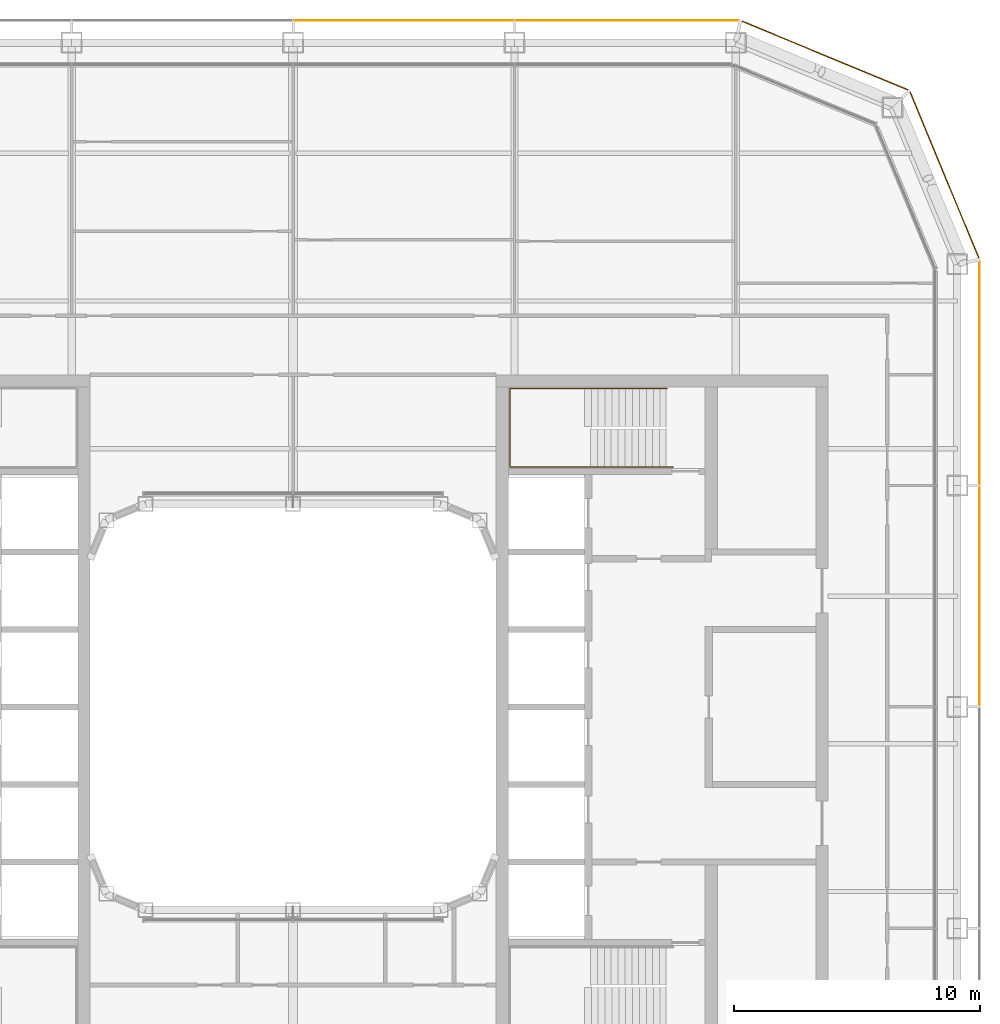
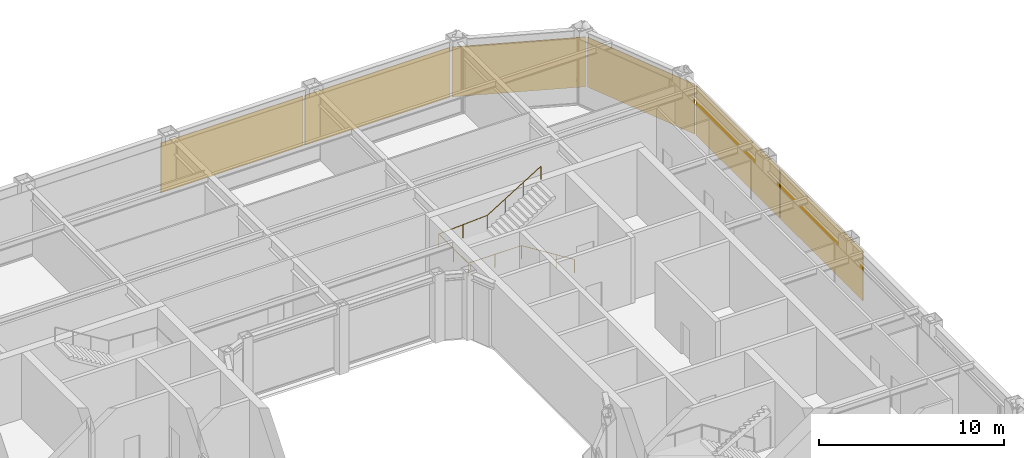
# One storey, part 23 of 24: 6 coverings, 1 railing.
"""IFC4 building model written with IfcOpenShell, lengths in metres."""

from ifc_helpers import new_model, si_unit, direction, frame, origin, origin_2d, place, context, subcontext, project, spatial, rectangle, circle, extrude, material, layer, layer_set, type_object, element, save


model = new_model("IFC4")

# Units and contexts
model_context = context("Model", 3, precision=1e-05, world=origin(), true_north=direction((0.0, 1.0)))
body_context = subcontext(model_context, "Body", "Model", "MODEL_VIEW")
ifc_project = project(units=[si_unit("LENGTHUNIT", "METRE"), si_unit("AREAUNIT", "SQUARE_METRE"), si_unit("VOLUMEUNIT", "CUBIC_METRE"), si_unit("PLANEANGLEUNIT", "RADIAN"), si_unit("MASSUNIT", "GRAM", prefix="KILO")], contexts=[model_context])

# Site, building, storey
site_placement = place(None, origin())
site = spatial("IfcSite", under=ifc_project, at=site_placement, CompositionType="ELEMENT")
building_placement = place(site_placement, origin())
building = spatial("IfcBuilding", under=site, at=building_placement, Name="Siwar Civic Tower", CompositionType="ELEMENT")
storey_placement = place(building_placement, frame((0.0, 0.0, 215.199951171875)))
storey = spatial("IfcBuildingStorey", under=building, at=storey_placement, Name="L46", CompositionType="ELEMENT", Elevation=215.199951171875)

# Railing
ifc_material_1 = material(Name="Stainless steel", Category="steel")
railing_type = type_object("IfcRailingType", Name="CORE-STAIR-HANDRAIL", PredefinedType="HANDRAIL", material=ifc_material_1)
railing_placement = place(storey_placement, frame((15.449951171875, 9.758056640625, 0.173095703125)))
element("IfcRailing", 1, at=railing_placement, inside=storey, type_object=railing_type, Name="Stair handrail ST3", PredefinedType="HANDRAIL", context=body_context, shape_type="SweptSolid", body=[
    extrude(circle(Radius=0.02001953125, at=origin_2d()), frame((0.0, 0.0, 0.8798828125), z_axis=(-0.847063342986, 0.0, 0.531491950051), x_axis=(0.0, -1.0, 0.0)), (0.0, 0.0, 1.0), 3.90771484375),
    extrude(circle(Radius=0.02001953125, at=origin_2d()), frame((-3.31005859375, 0.0, 2.956787109375), z_axis=(-1.0, 0.0, 0.0), x_axis=(0.0, -1.0, 0.0)), (0.0, 0.0, 1.0), 3.331787109375),
    extrude(circle(Radius=0.02001953125, at=origin_2d()), frame((-6.641845703125, 0.0, 2.956787109375), z_axis=(0.0, 1.0, 0.0), x_axis=(-1.0, 0.0, 0.0)), (0.0, 0.0, 1.0), 3.183837890625),
    extrude(circle(Radius=0.02001953125, at=origin_2d()), frame((-6.641845703125, 3.183837890625, 2.956787109375), z_axis=(0.99837434197, 0.0, 0.056997134106), x_axis=(0.0, 1.0, 0.0)), (0.0, 0.0, 1.0), 3.036865234375),
    extrude(circle(Radius=0.02001953125, at=origin_2d()), frame((-3.60986328125, 3.183837890625, 3.1298828125), z_axis=(0.850606129759, 0.0, 0.525803396734), x_axis=(0.0, 1.0, 0.0)), (0.0, 0.0, 1.0), 3.949951171875),
    extrude(circle(Radius=0.02001953125, at=origin_2d()), origin(), (0.0, 0.0, 1.0), 0.85986328125),
    extrude(circle(Radius=0.02001953125, at=origin_2d()), frame((-1.103271484375, 0.0, 0.6923828125)), (0.0, 0.0, 1.0), 0.85986328125),
    extrude(circle(Radius=0.02001953125, at=origin_2d()), frame((-2.206787109375, 0.0, 1.384521484375)), (0.0, 0.0, 1.0), 0.85986328125),
    extrude(circle(Radius=0.02001953125, at=origin_2d()), frame((-3.31005859375, 0.0, 2.076904296875)), (0.0, 0.0, 1.0), 0.85986328125),
    extrude(circle(Radius=0.02001953125, at=origin_2d()), frame((-4.97607421875, 0.0, 2.076904296875)), (0.0, 0.0, 1.0), 0.85986328125),
    extrude(circle(Radius=0.02001953125, at=origin_2d()), frame((-6.641845703125, 0.0, 2.076904296875)), (0.0, 0.0, 1.0), 0.85986328125),
    extrude(circle(Radius=0.02001953125, at=origin_2d()), frame((-6.641845703125, 1.591796875, 2.076904296875)), (0.0, 0.0, 1.0), 0.85986328125),
    extrude(circle(Radius=0.02001953125, at=origin_2d()), frame((-6.641845703125, 3.183837890625, 2.076904296875)), (0.0, 0.0, 1.0), 0.85986328125),
    extrude(circle(Radius=0.02001953125, at=origin_2d()), frame((-5.1259765625, 3.183837890625, 2.16357421875)), (0.0, 0.0, 1.0), 0.85986328125),
    extrude(circle(Radius=0.02001953125, at=origin_2d()), frame((-3.60986328125, 3.183837890625, 2.25)), (0.0, 0.0, 1.0), 0.85986328125),
    extrude(circle(Radius=0.02001953125, at=origin_2d()), frame((-2.489990234375, 3.183837890625, 2.9423828125)), (0.0, 0.0, 1.0), 0.85986328125),
    extrude(circle(Radius=0.02001953125, at=origin_2d()), frame((-1.369873046875, 3.183837890625, 3.634521484375)), (0.0, 0.0, 1.0), 0.85986328125),
    extrude(circle(Radius=0.02001953125, at=origin_2d()), frame((-0.25, 3.183837890625, 4.326904296875)), (0.0, 0.0, 1.0), 0.85986328125),
])

# Coverings
ifc_material_2 = material(Name="Perforated aluminium cassette, pale metal", Category="aluminium")
ifc_layer = layer(ifc_material_2, 0.0400390625)
ifc_layer_set = layer_set([ifc_layer], Name="Perforated aluminium cassette, pale metal")
covering_type = type_object("IfcCoveringType", Name="ENV-OUTER SKIN OS-1", PredefinedType="CLADDING", material=ifc_layer_set)
covering_1_placement = place(storey_placement, frame((27.89990234375, 4.5, -0.14990234375), z_axis=(0.0, 0.0, 1.0), x_axis=(0.0, 1.0, 0.0)))
element("IfcCovering", 2, at=covering_1_placement, inside=storey, type_object=covering_type, Name="OUTER SKIN OS-1 E 3", PredefinedType="CLADDING", context=body_context, shape_type="SweptSolid", body=[
    extrude(rectangle(XDim=8.89990234375, YDim=0.0400390625, at=origin_2d()), origin(), (0.0, 0.0, 1.0), 3.300048828125),
])
covering_2_placement = place(storey_placement, frame((27.89990234375, 13.57958984375, -0.14990234375), z_axis=(0.0, 0.0, 1.0), x_axis=(0.0, 1.0, 0.0)))
element("IfcCovering", 3, at=covering_2_placement, inside=storey, type_object=covering_type, Name="OUTER SKIN OS-1 E 4", PredefinedType="CLADDING", context=body_context, shape_type="SweptSolid", body=[
    extrude(rectangle(XDim=9.05908203125, YDim=0.0400390625, at=origin_2d()), origin(), (0.0, 0.0, 1.0), 3.300048828125),
])
for number, where, z_axis, x_axis, name in (
    (4, (26.476318359375, 21.615966796875, -0.14990234375), (0.0, 0.0, 1.0), (-0.382683432365, 0.923879532511, 0.0), "OUTER SKIN OS-1 NE1 1"),
    (5, (21.615966796875, 26.476318359375, -0.14990234375), (0.0, 0.0, 1.0), (-0.923879532511, 0.382683432365, 0.0), "OUTER SKIN OS-1 NE2 1"),
):
    element("IfcCovering", number, at=place(storey_placement, frame(where, z_axis=z_axis, x_axis=x_axis)), inside=storey, type_object=covering_type, Name=name, PredefinedType="CLADDING", context=body_context, shape_type="SweptSolid", body=[
        extrude(rectangle(XDim=7.300048828125, YDim=0.0400390625, at=origin_2d()), origin(), (0.0, 0.0, 1.0), 3.300048828125),
    ])
covering_3_placement = place(storey_placement, frame((13.57958984375, 27.89990234375, -0.14990234375), z_axis=(0.0, 0.0, 1.0), x_axis=(-1.0, 0.0, 0.0)))
element("IfcCovering", 6, at=covering_3_placement, inside=storey, type_object=covering_type, Name="OUTER SKIN OS-1 N 1", PredefinedType="CLADDING", context=body_context, shape_type="SweptSolid", body=[
    extrude(rectangle(XDim=9.05908203125, YDim=0.0400390625, at=origin_2d()), origin(), (0.0, 0.0, 1.0), 3.300048828125),
])
covering_4_placement = place(storey_placement, frame((4.5, 27.89990234375, -0.14990234375), z_axis=(0.0, 0.0, 1.0), x_axis=(-1.0, 0.0, 0.0)))
element("IfcCovering", 7, at=covering_4_placement, inside=storey, type_object=covering_type, Name="OUTER SKIN OS-1 N 2", PredefinedType="CLADDING", context=body_context, shape_type="SweptSolid", body=[
    extrude(rectangle(XDim=8.89990234375, YDim=0.0400390625, at=origin_2d()), origin(), (0.0, 0.0, 1.0), 3.300048828125),
])

save(model, "model.ifc")
